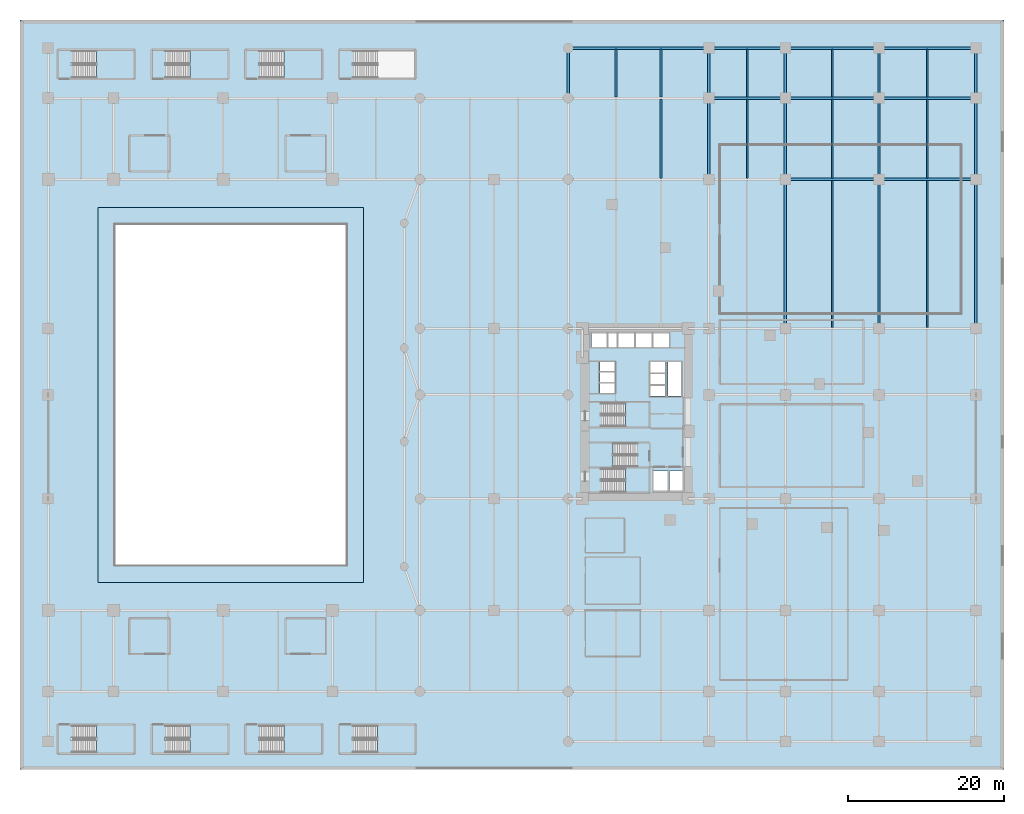
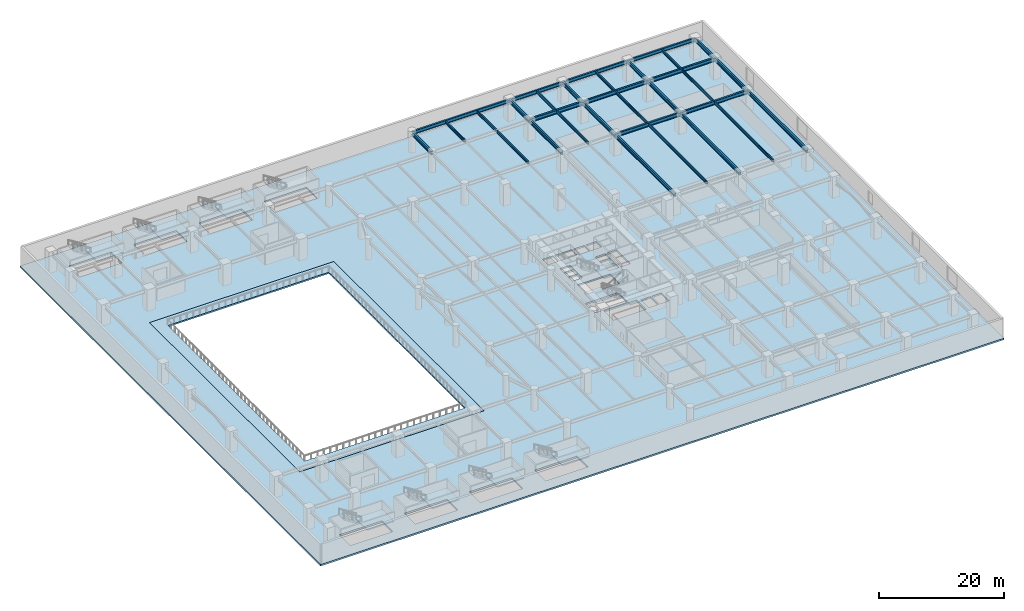
# One storey, part 4 of 22: 32 beams, 12 slabs, 10 elements without a shape of their own.
"""IFC4 building model written with IfcOpenShell, lengths in metres."""

from ifc_helpers import new_model, si_unit, direction, frame, origin, origin_2d, place, context, subcontext, project, spatial, polyline, i_section, outline, extrude, material, layer, layer_set, material_profile, profile_set, type_object, element, aggregate, save


model = new_model("IFC4")

# Units and contexts
model_context = context("Model", 3, precision=1e-05, world=origin(), true_north=direction((0.0, 1.0)))
body_context = subcontext(model_context, "Body", "Model", "MODEL_VIEW")
ifc_project = project(units=[si_unit("LENGTHUNIT", "METRE"), si_unit("AREAUNIT", "SQUARE_METRE"), si_unit("VOLUMEUNIT", "CUBIC_METRE"), si_unit("PLANEANGLEUNIT", "RADIAN"), si_unit("MASSUNIT", "GRAM", prefix="KILO")], contexts=[model_context])

# Site, building, storey
site_placement = place(None, origin())
site = spatial("IfcSite", under=ifc_project, at=site_placement, CompositionType="ELEMENT")
building_placement = place(site_placement, origin())
building = spatial("IfcBuilding", under=site, at=building_placement, Name="Narakoshi Arena Tower", CompositionType="ELEMENT")
storey_placement = place(building_placement, frame((0.0, 0.0, 13.199951171875)))
storey = spatial("IfcBuildingStorey", under=building, at=storey_placement, Name="L03", CompositionType="ELEMENT", Elevation=13.199951171875)

# Beams
ifc_material_1 = material(Name="Structural steel S355J2", Category="steel")
ifc_material_profile_1 = material_profile(ifc_material_1, i_section(OverallWidth=0.300048828125, OverallDepth=0.699951171875, WebThickness=0.01708984375, FlangeThickness=0.031982421875, FilletRadius=0.027099609375, at=origin_2d()), Name="HE700B")
ifc_profile_set_1 = profile_set([ifc_material_profile_1], Name="Structural steel S355J2")
beam_type_1 = type_object("IfcBeamType", Name="BM-PRI-700", PredefinedType="BEAM", material=ifc_profile_set_1)
beam_1_placement = place(storey_placement, frame((98.0, 75.60009765625, 3.530029296875), z_axis=(1.0, 0.0, 0.0), x_axis=(0.0, 1.0, 0.0)))
element("IfcBeam", 1, at=beam_1_placement, inside=storey, type_object=beam_type_1, Name="L03 Podium Primary X-Girder 051", PredefinedType="BEAM", context=body_context, shape_type="SweptSolid", body=[
    extrude(i_section(OverallWidth=0.300048828125, OverallDepth=0.699951171875, WebThickness=0.01708984375, FlangeThickness=0.031982421875, FilletRadius=0.027099609375, at=origin_2d()), origin(), (0.0, 0.0, 1.0), 12.0),
])
beam_2_placement = place(storey_placement, frame((110.0, 75.60009765625, 3.530029296875), z_axis=(1.0, 0.0, 0.0), x_axis=(0.0, 1.0, 0.0)))
element("IfcBeam", 2, at=beam_2_placement, inside=storey, type_object=beam_type_1, Name="L03 Podium Primary X-Girder 052", PredefinedType="BEAM", context=body_context, shape_type="SweptSolid", body=[
    extrude(i_section(OverallWidth=0.300048828125, OverallDepth=0.699951171875, WebThickness=0.01708984375, FlangeThickness=0.031982421875, FilletRadius=0.027099609375, at=origin_2d()), origin(), (0.0, 0.0, 1.0), 12.39990234375),
])
beam_3_placement = place(storey_placement, frame((88.199951171875, 86.0, 3.530029296875), z_axis=(1.0, 0.0, 0.0), x_axis=(0.0, 1.0, 0.0)))
element("IfcBeam", 3, at=beam_3_placement, inside=storey, type_object=beam_type_1, Name="L03 Podium Primary X-Girder 059", PredefinedType="BEAM", context=body_context, shape_type="SweptSolid", body=[
    extrude(i_section(OverallWidth=0.300048828125, OverallDepth=0.699951171875, WebThickness=0.01708984375, FlangeThickness=0.031982421875, FilletRadius=0.027099609375, at=origin_2d()), origin(), (0.0, 0.0, 1.0), 9.800048828125),
])
beam_4_placement = place(storey_placement, frame((98.0, 86.0, 3.530029296875), z_axis=(1.0, 0.0, 0.0), x_axis=(0.0, 1.0, 0.0)))
element("IfcBeam", 4, at=beam_4_placement, inside=storey, type_object=beam_type_1, Name="L03 Podium Primary X-Girder 060", PredefinedType="BEAM", context=body_context, shape_type="SweptSolid", body=[
    extrude(i_section(OverallWidth=0.300048828125, OverallDepth=0.699951171875, WebThickness=0.01708984375, FlangeThickness=0.031982421875, FilletRadius=0.027099609375, at=origin_2d()), origin(), (0.0, 0.0, 1.0), 12.0),
])
beam_5_placement = place(storey_placement, frame((110.0, 86.0, 3.530029296875), z_axis=(1.0, 0.0, 0.0), x_axis=(0.0, 1.0, 0.0)))
element("IfcBeam", 5, at=beam_5_placement, inside=storey, type_object=beam_type_1, Name="L03 Podium Primary X-Girder 061", PredefinedType="BEAM", context=body_context, shape_type="SweptSolid", body=[
    extrude(i_section(OverallWidth=0.300048828125, OverallDepth=0.699951171875, WebThickness=0.01708984375, FlangeThickness=0.031982421875, FilletRadius=0.027099609375, at=origin_2d()), origin(), (0.0, 0.0, 1.0), 12.39990234375),
])
beam_6_placement = place(storey_placement, frame((70.199951171875, 92.39990234375, 3.530029296875), z_axis=(1.0, 0.0, 0.0), x_axis=(0.0, 1.0, 0.0)))
element("IfcBeam", 6, at=beam_6_placement, inside=storey, type_object=beam_type_1, Name="L03 Podium Primary X-Girder 062", PredefinedType="BEAM", context=body_context, shape_type="SweptSolid", body=[
    extrude(i_section(OverallWidth=0.300048828125, OverallDepth=0.699951171875, WebThickness=0.01708984375, FlangeThickness=0.031982421875, FilletRadius=0.027099609375, at=origin_2d()), origin(), (0.0, 0.0, 1.0), 18.0),
])
beam_7_placement = place(storey_placement, frame((88.199951171875, 92.39990234375, 3.530029296875), z_axis=(1.0, 0.0, 0.0), x_axis=(0.0, 1.0, 0.0)))
element("IfcBeam", 7, at=beam_7_placement, inside=storey, type_object=beam_type_1, Name="L03 Podium Primary X-Girder 063", PredefinedType="BEAM", context=body_context, shape_type="SweptSolid", body=[
    extrude(i_section(OverallWidth=0.300048828125, OverallDepth=0.699951171875, WebThickness=0.01708984375, FlangeThickness=0.031982421875, FilletRadius=0.027099609375, at=origin_2d()), origin(), (0.0, 0.0, 1.0), 9.800048828125),
])
beam_8_placement = place(storey_placement, frame((98.0, 92.39990234375, 3.530029296875), z_axis=(1.0, 0.0, 0.0), x_axis=(0.0, 1.0, 0.0)))
element("IfcBeam", 8, at=beam_8_placement, inside=storey, type_object=beam_type_1, Name="L03 Podium Primary X-Girder 064", PredefinedType="BEAM", context=body_context, shape_type="SweptSolid", body=[
    extrude(i_section(OverallWidth=0.300048828125, OverallDepth=0.699951171875, WebThickness=0.01708984375, FlangeThickness=0.031982421875, FilletRadius=0.027099609375, at=origin_2d()), origin(), (0.0, 0.0, 1.0), 12.0),
])
beam_9_placement = place(storey_placement, frame((110.0, 92.39990234375, 3.530029296875), z_axis=(1.0, 0.0, 0.0), x_axis=(0.0, 1.0, 0.0)))
element("IfcBeam", 9, at=beam_9_placement, inside=storey, type_object=beam_type_1, Name="L03 Podium Primary X-Girder 065", PredefinedType="BEAM", context=body_context, shape_type="SweptSolid", body=[
    extrude(i_section(OverallWidth=0.300048828125, OverallDepth=0.699951171875, WebThickness=0.01708984375, FlangeThickness=0.031982421875, FilletRadius=0.027099609375, at=origin_2d()), origin(), (0.0, 0.0, 1.0), 12.39990234375),
])
beam_10_placement = place(storey_placement, frame((70.199951171875, 86.0, 3.530029296875), z_axis=(0.0, 1.0, 0.0), x_axis=(-1.0, 0.0, 0.0)))
element("IfcBeam", 10, at=beam_10_placement, inside=storey, type_object=beam_type_1, Name="L03 Podium Primary Y-Girder 096", PredefinedType="BEAM", context=body_context, shape_type="SweptSolid", body=[
    extrude(i_section(OverallWidth=0.300048828125, OverallDepth=0.699951171875, WebThickness=0.01708984375, FlangeThickness=0.031982421875, FilletRadius=0.027099609375, at=origin_2d()), origin(), (0.0, 0.0, 1.0), 6.39990234375),
])
beam_11_placement = place(storey_placement, frame((88.199951171875, 75.60009765625, 3.530029296875), z_axis=(0.0, 1.0, 0.0), x_axis=(-1.0, 0.0, 0.0)))
element("IfcBeam", 11, at=beam_11_placement, inside=storey, type_object=beam_type_1, Name="L03 Podium Primary Y-Girder 104", PredefinedType="BEAM", context=body_context, shape_type="SweptSolid", body=[
    extrude(i_section(OverallWidth=0.300048828125, OverallDepth=0.699951171875, WebThickness=0.01708984375, FlangeThickness=0.031982421875, FilletRadius=0.027099609375, at=origin_2d()), origin(), (0.0, 0.0, 1.0), 10.39990234375),
])
beam_12_placement = place(storey_placement, frame((88.199951171875, 86.0, 3.530029296875), z_axis=(0.0, 1.0, 0.0), x_axis=(-1.0, 0.0, 0.0)))
element("IfcBeam", 12, at=beam_12_placement, inside=storey, type_object=beam_type_1, Name="L03 Podium Primary Y-Girder 105", PredefinedType="BEAM", context=body_context, shape_type="SweptSolid", body=[
    extrude(i_section(OverallWidth=0.300048828125, OverallDepth=0.699951171875, WebThickness=0.01708984375, FlangeThickness=0.031982421875, FilletRadius=0.027099609375, at=origin_2d()), origin(), (0.0, 0.0, 1.0), 6.39990234375),
])
beam_13_placement = place(storey_placement, frame((98.0, 56.5, 3.530029296875), z_axis=(0.0, 1.0, 0.0), x_axis=(-1.0, 0.0, 0.0)))
element("IfcBeam", 13, at=beam_13_placement, inside=storey, type_object=beam_type_1, Name="L03 Podium Primary Y-Girder 111", PredefinedType="BEAM", context=body_context, shape_type="SweptSolid", body=[
    extrude(i_section(OverallWidth=0.300048828125, OverallDepth=0.699951171875, WebThickness=0.01708984375, FlangeThickness=0.031982421875, FilletRadius=0.027099609375, at=origin_2d()), origin(), (0.0, 0.0, 1.0), 19.10009765625),
])
beam_14_placement = place(storey_placement, frame((98.0, 75.60009765625, 3.530029296875), z_axis=(0.0, 1.0, 0.0), x_axis=(-1.0, 0.0, 0.0)))
element("IfcBeam", 14, at=beam_14_placement, inside=storey, type_object=beam_type_1, Name="L03 Podium Primary Y-Girder 112", PredefinedType="BEAM", context=body_context, shape_type="SweptSolid", body=[
    extrude(i_section(OverallWidth=0.300048828125, OverallDepth=0.699951171875, WebThickness=0.01708984375, FlangeThickness=0.031982421875, FilletRadius=0.027099609375, at=origin_2d()), origin(), (0.0, 0.0, 1.0), 10.39990234375),
])
beam_15_placement = place(storey_placement, frame((98.0, 86.0, 3.530029296875), z_axis=(0.0, 1.0, 0.0), x_axis=(-1.0, 0.0, 0.0)))
element("IfcBeam", 15, at=beam_15_placement, inside=storey, type_object=beam_type_1, Name="L03 Podium Primary Y-Girder 113", PredefinedType="BEAM", context=body_context, shape_type="SweptSolid", body=[
    extrude(i_section(OverallWidth=0.300048828125, OverallDepth=0.699951171875, WebThickness=0.01708984375, FlangeThickness=0.031982421875, FilletRadius=0.027099609375, at=origin_2d()), origin(), (0.0, 0.0, 1.0), 6.39990234375),
])
beam_16_placement = place(storey_placement, frame((110.0, 56.5, 3.530029296875), z_axis=(0.0, 1.0, 0.0), x_axis=(-1.0, 0.0, 0.0)))
element("IfcBeam", 16, at=beam_16_placement, inside=storey, type_object=beam_type_1, Name="L03 Podium Primary Y-Girder 119", PredefinedType="BEAM", context=body_context, shape_type="SweptSolid", body=[
    extrude(i_section(OverallWidth=0.300048828125, OverallDepth=0.699951171875, WebThickness=0.01708984375, FlangeThickness=0.031982421875, FilletRadius=0.027099609375, at=origin_2d()), origin(), (0.0, 0.0, 1.0), 19.10009765625),
])
beam_17_placement = place(storey_placement, frame((110.0, 75.60009765625, 3.530029296875), z_axis=(0.0, 1.0, 0.0), x_axis=(-1.0, 0.0, 0.0)))
element("IfcBeam", 17, at=beam_17_placement, inside=storey, type_object=beam_type_1, Name="L03 Podium Primary Y-Girder 120", PredefinedType="BEAM", context=body_context, shape_type="SweptSolid", body=[
    extrude(i_section(OverallWidth=0.300048828125, OverallDepth=0.699951171875, WebThickness=0.01708984375, FlangeThickness=0.031982421875, FilletRadius=0.027099609375, at=origin_2d()), origin(), (0.0, 0.0, 1.0), 10.39990234375),
])
beam_18_placement = place(storey_placement, frame((110.0, 86.0, 3.530029296875), z_axis=(0.0, 1.0, 0.0), x_axis=(-1.0, 0.0, 0.0)))
element("IfcBeam", 18, at=beam_18_placement, inside=storey, type_object=beam_type_1, Name="L03 Podium Primary Y-Girder 121", PredefinedType="BEAM", context=body_context, shape_type="SweptSolid", body=[
    extrude(i_section(OverallWidth=0.300048828125, OverallDepth=0.699951171875, WebThickness=0.01708984375, FlangeThickness=0.031982421875, FilletRadius=0.027099609375, at=origin_2d()), origin(), (0.0, 0.0, 1.0), 6.39990234375),
])
beam_19_placement = place(storey_placement, frame((122.39990234375, 56.5, 3.530029296875), z_axis=(0.0, 1.0, 0.0), x_axis=(-1.0, 0.0, 0.0)))
element("IfcBeam", 19, at=beam_19_placement, inside=storey, type_object=beam_type_1, Name="L03 Podium Primary Y-Girder 127", PredefinedType="BEAM", context=body_context, shape_type="SweptSolid", body=[
    extrude(i_section(OverallWidth=0.300048828125, OverallDepth=0.699951171875, WebThickness=0.01708984375, FlangeThickness=0.031982421875, FilletRadius=0.027099609375, at=origin_2d()), origin(), (0.0, 0.0, 1.0), 19.10009765625),
])
beam_20_placement = place(storey_placement, frame((122.39990234375, 75.60009765625, 3.530029296875), z_axis=(0.0, 1.0, 0.0), x_axis=(-1.0, 0.0, 0.0)))
element("IfcBeam", 20, at=beam_20_placement, inside=storey, type_object=beam_type_1, Name="L03 Podium Primary Y-Girder 128", PredefinedType="BEAM", context=body_context, shape_type="SweptSolid", body=[
    extrude(i_section(OverallWidth=0.300048828125, OverallDepth=0.699951171875, WebThickness=0.01708984375, FlangeThickness=0.031982421875, FilletRadius=0.027099609375, at=origin_2d()), origin(), (0.0, 0.0, 1.0), 10.39990234375),
])
beam_21_placement = place(storey_placement, frame((122.39990234375, 86.0, 3.530029296875), z_axis=(0.0, 1.0, 0.0), x_axis=(-1.0, 0.0, 0.0)))
element("IfcBeam", 21, at=beam_21_placement, inside=storey, type_object=beam_type_1, Name="L03 Podium Primary Y-Girder 129", PredefinedType="BEAM", context=body_context, shape_type="SweptSolid", body=[
    extrude(i_section(OverallWidth=0.300048828125, OverallDepth=0.699951171875, WebThickness=0.01708984375, FlangeThickness=0.031982421875, FilletRadius=0.027099609375, at=origin_2d()), origin(), (0.0, 0.0, 1.0), 6.39990234375),
])
ifc_material_profile_2 = material_profile(ifc_material_1, i_section(OverallWidth=0.199951171875, OverallDepth=0.5, WebThickness=0.01025390625, FlangeThickness=0.01611328125, FilletRadius=0.02099609375, at=origin_2d()), Name="IPE500")
ifc_profile_set_2 = profile_set([ifc_material_profile_2], Name="Structural steel S355J2")
beam_type_2 = type_object("IfcBeamType", Name="BM-SEC-500", PredefinedType="JOIST", material=ifc_profile_set_2)
beam_22_placement = place(storey_placement, frame((76.320068359375, 86.135009765625, 3.630126953125), z_axis=(0.0, 1.0, 0.0), x_axis=(-1.0, 0.0, 0.0)))
element("IfcBeam", 22, at=beam_22_placement, inside=storey, type_object=beam_type_2, Name="L03 Podium Composite Floor Joist 025", PredefinedType="JOIST", context=body_context, shape_type="SweptSolid", body=[
    extrude(i_section(OverallWidth=0.199951171875, OverallDepth=0.5, WebThickness=0.01025390625, FlangeThickness=0.01611328125, FilletRadius=0.02099609375, at=origin_2d()), origin(), (0.0, 0.0, 1.0), 6.1298828125),
])
beam_23_placement = place(storey_placement, frame((82.080078125, 75.735107421875, 3.630126953125), z_axis=(0.0, 1.0, 0.0), x_axis=(-1.0, 0.0, 0.0)))
element("IfcBeam", 23, at=beam_23_placement, inside=storey, type_object=beam_type_2, Name="L03 Podium Composite Floor Joist 029", PredefinedType="JOIST", context=body_context, shape_type="SweptSolid", body=[
    extrude(i_section(OverallWidth=0.199951171875, OverallDepth=0.5, WebThickness=0.01025390625, FlangeThickness=0.01611328125, FilletRadius=0.02099609375, at=origin_2d()), origin(), (0.0, 0.0, 1.0), 10.1298828125),
])
beam_24_placement = place(storey_placement, frame((82.080078125, 86.135009765625, 3.630126953125), z_axis=(0.0, 1.0, 0.0), x_axis=(-1.0, 0.0, 0.0)))
element("IfcBeam", 24, at=beam_24_placement, inside=storey, type_object=beam_type_2, Name="L03 Podium Composite Floor Joist 030", PredefinedType="JOIST", context=body_context, shape_type="SweptSolid", body=[
    extrude(i_section(OverallWidth=0.199951171875, OverallDepth=0.5, WebThickness=0.01025390625, FlangeThickness=0.01611328125, FilletRadius=0.02099609375, at=origin_2d()), origin(), (0.0, 0.0, 1.0), 6.1298828125),
])
beam_25_placement = place(storey_placement, frame((93.10009765625, 75.735107421875, 3.630126953125), z_axis=(0.0, 1.0, 0.0), x_axis=(-1.0, 0.0, 0.0)))
element("IfcBeam", 25, at=beam_25_placement, inside=storey, type_object=beam_type_2, Name="L03 Podium Composite Floor Joist 037", PredefinedType="JOIST", context=body_context, shape_type="SweptSolid", body=[
    extrude(i_section(OverallWidth=0.199951171875, OverallDepth=0.5, WebThickness=0.01025390625, FlangeThickness=0.01611328125, FilletRadius=0.02099609375, at=origin_2d()), origin(), (0.0, 0.0, 1.0), 10.1298828125),
])
beam_26_placement = place(storey_placement, frame((93.10009765625, 86.135009765625, 3.630126953125), z_axis=(0.0, 1.0, 0.0), x_axis=(-1.0, 0.0, 0.0)))
element("IfcBeam", 26, at=beam_26_placement, inside=storey, type_object=beam_type_2, Name="L03 Podium Composite Floor Joist 038", PredefinedType="JOIST", context=body_context, shape_type="SweptSolid", body=[
    extrude(i_section(OverallWidth=0.199951171875, OverallDepth=0.5, WebThickness=0.01025390625, FlangeThickness=0.01611328125, FilletRadius=0.02099609375, at=origin_2d()), origin(), (0.0, 0.0, 1.0), 6.1298828125),
])
beam_27_placement = place(storey_placement, frame((104.0, 56.635009765625, 3.630126953125), z_axis=(0.0, 1.0, 0.0), x_axis=(-1.0, 0.0, 0.0)))
element("IfcBeam", 27, at=beam_27_placement, inside=storey, type_object=beam_type_2, Name="L03 Podium Composite Floor Joist 044", PredefinedType="JOIST", context=body_context, shape_type="SweptSolid", body=[
    extrude(i_section(OverallWidth=0.199951171875, OverallDepth=0.5, WebThickness=0.01025390625, FlangeThickness=0.01611328125, FilletRadius=0.02099609375, at=origin_2d()), origin(), (0.0, 0.0, 1.0), 18.830078125),
])
beam_28_placement = place(storey_placement, frame((104.0, 75.735107421875, 3.630126953125), z_axis=(0.0, 1.0, 0.0), x_axis=(-1.0, 0.0, 0.0)))
element("IfcBeam", 28, at=beam_28_placement, inside=storey, type_object=beam_type_2, Name="L03 Podium Composite Floor Joist 045", PredefinedType="JOIST", context=body_context, shape_type="SweptSolid", body=[
    extrude(i_section(OverallWidth=0.199951171875, OverallDepth=0.5, WebThickness=0.01025390625, FlangeThickness=0.01611328125, FilletRadius=0.02099609375, at=origin_2d()), origin(), (0.0, 0.0, 1.0), 10.1298828125),
])
beam_29_placement = place(storey_placement, frame((104.0, 86.135009765625, 3.630126953125), z_axis=(0.0, 1.0, 0.0), x_axis=(-1.0, 0.0, 0.0)))
element("IfcBeam", 29, at=beam_29_placement, inside=storey, type_object=beam_type_2, Name="L03 Podium Composite Floor Joist 046", PredefinedType="JOIST", context=body_context, shape_type="SweptSolid", body=[
    extrude(i_section(OverallWidth=0.199951171875, OverallDepth=0.5, WebThickness=0.01025390625, FlangeThickness=0.01611328125, FilletRadius=0.02099609375, at=origin_2d()), origin(), (0.0, 0.0, 1.0), 6.1298828125),
])
beam_30_placement = place(storey_placement, frame((116.199951171875, 56.635009765625, 3.630126953125), z_axis=(0.0, 1.0, 0.0), x_axis=(-1.0, 0.0, 0.0)))
element("IfcBeam", 30, at=beam_30_placement, inside=storey, type_object=beam_type_2, Name="L03 Podium Composite Floor Joist 052", PredefinedType="JOIST", context=body_context, shape_type="SweptSolid", body=[
    extrude(i_section(OverallWidth=0.199951171875, OverallDepth=0.5, WebThickness=0.01025390625, FlangeThickness=0.01611328125, FilletRadius=0.02099609375, at=origin_2d()), origin(), (0.0, 0.0, 1.0), 18.830078125),
])
beam_31_placement = place(storey_placement, frame((116.199951171875, 75.735107421875, 3.630126953125), z_axis=(0.0, 1.0, 0.0), x_axis=(-1.0, 0.0, 0.0)))
element("IfcBeam", 31, at=beam_31_placement, inside=storey, type_object=beam_type_2, Name="L03 Podium Composite Floor Joist 053", PredefinedType="JOIST", context=body_context, shape_type="SweptSolid", body=[
    extrude(i_section(OverallWidth=0.199951171875, OverallDepth=0.5, WebThickness=0.01025390625, FlangeThickness=0.01611328125, FilletRadius=0.02099609375, at=origin_2d()), origin(), (0.0, 0.0, 1.0), 10.1298828125),
])
beam_32_placement = place(storey_placement, frame((116.199951171875, 86.135009765625, 3.630126953125), z_axis=(0.0, 1.0, 0.0), x_axis=(-1.0, 0.0, 0.0)))
element("IfcBeam", 32, at=beam_32_placement, inside=storey, type_object=beam_type_2, Name="L03 Podium Composite Floor Joist 054", PredefinedType="JOIST", context=body_context, shape_type="SweptSolid", body=[
    extrude(i_section(OverallWidth=0.199951171875, OverallDepth=0.5, WebThickness=0.01025390625, FlangeThickness=0.01611328125, FilletRadius=0.02099609375, at=origin_2d()), origin(), (0.0, 0.0, 1.0), 6.1298828125),
])

# Slab
ifc_material_2 = material(Name="Precast concrete C45/55", Category="concrete")
ifc_layer_1 = layer(ifc_material_2, 0.280029296875)
ifc_layer_set_1 = layer_set([ifc_layer_1], Name="Precast concrete C45/55")
slab_type_1 = type_object("IfcSlabType", Name="SLB-BOWL-280", PredefinedType="FLOOR", material=ifc_layer_set_1)
slab_1_placement = place(storey_placement, frame((0.0, 0.0, -0.280029296875)))
element("IfcSlab", 33, at=slab_1_placement, inside=storey, type_object=slab_type_1, Name="L03 Precast Arena Bowl Seating Tier Slab", PredefinedType="FLOOR", context=body_context, shape_type="SweptSolid", body=[
    extrude(outline(polyline([(44.0, 24.0), (44.0, 72.0), (10.0, 72.0), (10.0, 24.0), (44.0, 24.0)]), holes=[polyline([(41.800048828125, 26.199951171875), (41.800048828125, 69.800048828125), (12.199951171875, 69.800048828125), (12.199951171875, 26.199951171875), (41.800048828125, 26.199951171875)])]), origin(), (0.0, 0.0, 1.0), 0.280029296875),
])

# Stair, slab
ifc_material_3 = material(Name="Concrete C45/55", Category="concrete")
stair_type_1 = type_object("IfcStairType", Name="STR-PLANT-420", PredefinedType="TWO_STRAIGHT_RUN_STAIR", material=ifc_material_3)
stair_1_placement = place(storey_placement, origin())
stair_1 = element("IfcStair", 34, at=stair_1_placement, inside=storey, type_object=stair_type_1, Name="L03 Core Escape Stair ST1", PredefinedType="TWO_STRAIGHT_RUN_STAIR")
ifc_layer_2 = layer(ifc_material_3, 0.18994140625)
ifc_layer_set_2 = layer_set([ifc_layer_2], Name="Concrete C45/55")
slab_type_2 = type_object("IfcSlabType", Name="SLB-LND-190", PredefinedType="LANDING", material=ifc_layer_set_2)
slab_2_placement = place(storey_placement, frame((0.0, 0.0, 1.91015625)))
slab_2 = element("IfcSlab", 35, at=slab_2_placement, type_object=slab_type_2, Name="ST1 landing 1", PredefinedType="LANDING", context=body_context, shape_type="SweptSolid", body=[
    extrude(outline(polyline([(77.534912109375, 35.3701171875), (80.679931640625, 35.3701171875), (80.679931640625, 38.72998046875), (77.534912109375, 38.72998046875), (77.534912109375, 35.3701171875)])), origin(), (0.0, 0.0, 1.0), 0.18994140625),
])
aggregate(stair_1, [slab_2])

stair_2_placement = place(storey_placement, origin())
stair_2 = element("IfcStair", 36, at=stair_2_placement, inside=storey, type_object=stair_type_1, Name="L03 Core Escape Stair ST2", PredefinedType="TWO_STRAIGHT_RUN_STAIR")
slab_3_placement = place(storey_placement, frame((0.0, 0.0, 1.91015625)))
slab_3 = element("IfcSlab", 37, at=slab_3_placement, type_object=slab_type_2, Name="ST2 landing 1", PredefinedType="LANDING", context=body_context, shape_type="SweptSolid", body=[
    extrude(outline(polyline([(72.77001953125, 38.6201171875), (75.9150390625, 38.6201171875), (75.9150390625, 41.97998046875), (72.77001953125, 41.97998046875), (72.77001953125, 38.6201171875)])), origin(), (0.0, 0.0, 1.0), 0.18994140625),
])
aggregate(stair_2, [slab_3])

stair_3_placement = place(storey_placement, origin())
stair_3 = element("IfcStair", 38, at=stair_3_placement, inside=storey, type_object=stair_type_1, Name="L03 Core Escape Stair ST3", PredefinedType="TWO_STRAIGHT_RUN_STAIR")
slab_4_placement = place(storey_placement, frame((0.0, 0.0, 1.91015625)))
slab_4 = element("IfcSlab", 39, at=slab_4_placement, type_object=slab_type_2, Name="ST3 landing 1", PredefinedType="LANDING", context=body_context, shape_type="SweptSolid", body=[
    extrude(outline(polyline([(77.534912109375, 43.77001953125), (80.679931640625, 43.77001953125), (80.679931640625, 47.1298828125), (77.534912109375, 47.1298828125), (77.534912109375, 43.77001953125)])), origin(), (0.0, 0.0, 1.0), 0.18994140625),
])
aggregate(stair_3, [slab_4])

stair_type_2 = type_object("IfcStairType", Name="STR-ARN-2400", PredefinedType="TWO_STRAIGHT_RUN_STAIR", material=ifc_material_3)
stair_4_placement = place(storey_placement, origin())
stair_4 = element("IfcStair", 40, at=stair_4_placement, inside=storey, type_object=stair_type_2, Name="L03 Arena Crowd Escape Stair AST1", PredefinedType="TWO_STRAIGHT_RUN_STAIR")
slab_5_placement = place(storey_placement, frame((0.0, 0.0, 1.91015625)))
slab_5 = element("IfcSlab", 41, at=slab_5_placement, type_object=slab_type_2, Name="AST1 landing 1", PredefinedType="LANDING", context=body_context, shape_type="SweptSolid", body=[
    extrude(outline(polyline([(9.784912109375, 2.02001953125), (14.72998046875, 2.02001953125), (14.72998046875, 5.830078125), (9.784912109375, 5.830078125), (9.784912109375, 2.02001953125)])), origin(), (0.0, 0.0, 1.0), 0.18994140625),
])
aggregate(stair_4, [slab_5])

stair_5_placement = place(storey_placement, origin())
stair_5 = element("IfcStair", 42, at=stair_5_placement, inside=storey, type_object=stair_type_2, Name="L03 Arena Crowd Escape Stair AST2", PredefinedType="TWO_STRAIGHT_RUN_STAIR")
slab_6_placement = place(storey_placement, frame((0.0, 0.0, 1.91015625)))
slab_6 = element("IfcSlab", 43, at=slab_6_placement, type_object=slab_type_2, Name="AST2 landing 1", PredefinedType="LANDING", context=body_context, shape_type="SweptSolid", body=[
    extrude(outline(polyline([(21.784912109375, 2.02001953125), (26.72998046875, 2.02001953125), (26.72998046875, 5.830078125), (21.784912109375, 5.830078125), (21.784912109375, 2.02001953125)])), origin(), (0.0, 0.0, 1.0), 0.18994140625),
])
aggregate(stair_5, [slab_6])

stair_6_placement = place(storey_placement, origin())
stair_6 = element("IfcStair", 44, at=stair_6_placement, inside=storey, type_object=stair_type_2, Name="L03 Arena Crowd Escape Stair AST3", PredefinedType="TWO_STRAIGHT_RUN_STAIR")
slab_7_placement = place(storey_placement, frame((0.0, 0.0, 1.91015625)))
slab_7 = element("IfcSlab", 45, at=slab_7_placement, type_object=slab_type_2, Name="AST3 landing 1", PredefinedType="LANDING", context=body_context, shape_type="SweptSolid", body=[
    extrude(outline(polyline([(33.784912109375, 2.02001953125), (38.72998046875, 2.02001953125), (38.72998046875, 5.830078125), (33.784912109375, 5.830078125), (33.784912109375, 2.02001953125)])), origin(), (0.0, 0.0, 1.0), 0.18994140625),
])
aggregate(stair_6, [slab_7])

stair_7_placement = place(storey_placement, origin())
stair_7 = element("IfcStair", 46, at=stair_7_placement, inside=storey, type_object=stair_type_2, Name="L03 Arena Crowd Escape Stair AST4", PredefinedType="TWO_STRAIGHT_RUN_STAIR")
slab_8_placement = place(storey_placement, frame((0.0, 0.0, 1.91015625)))
slab_8 = element("IfcSlab", 47, at=slab_8_placement, type_object=slab_type_2, Name="AST4 landing 1", PredefinedType="LANDING", context=body_context, shape_type="SweptSolid", body=[
    extrude(outline(polyline([(45.784912109375, 2.02001953125), (50.72998046875, 2.02001953125), (50.72998046875, 5.830078125), (45.784912109375, 5.830078125), (45.784912109375, 2.02001953125)])), origin(), (0.0, 0.0, 1.0), 0.18994140625),
])
aggregate(stair_7, [slab_8])

stair_8_placement = place(storey_placement, origin())
stair_8 = element("IfcStair", 48, at=stair_8_placement, inside=storey, type_object=stair_type_2, Name="L03 Arena Crowd Escape Stair AST5", PredefinedType="TWO_STRAIGHT_RUN_STAIR")
slab_9_placement = place(storey_placement, frame((0.0, 0.0, 1.91015625)))
slab_9 = element("IfcSlab", 49, at=slab_9_placement, type_object=slab_type_2, Name="AST5 landing 1", PredefinedType="LANDING", context=body_context, shape_type="SweptSolid", body=[
    extrude(outline(polyline([(9.784912109375, 88.419921875), (14.72998046875, 88.419921875), (14.72998046875, 92.22998046875), (9.784912109375, 92.22998046875), (9.784912109375, 88.419921875)])), origin(), (0.0, 0.0, 1.0), 0.18994140625),
])
aggregate(stair_8, [slab_9])

stair_9_placement = place(storey_placement, origin())
stair_9 = element("IfcStair", 50, at=stair_9_placement, inside=storey, type_object=stair_type_2, Name="L03 Arena Crowd Escape Stair AST6", PredefinedType="TWO_STRAIGHT_RUN_STAIR")
slab_10_placement = place(storey_placement, frame((0.0, 0.0, 1.91015625)))
slab_10 = element("IfcSlab", 51, at=slab_10_placement, type_object=slab_type_2, Name="AST6 landing 1", PredefinedType="LANDING", context=body_context, shape_type="SweptSolid", body=[
    extrude(outline(polyline([(21.784912109375, 88.419921875), (26.72998046875, 88.419921875), (26.72998046875, 92.22998046875), (21.784912109375, 92.22998046875), (21.784912109375, 88.419921875)])), origin(), (0.0, 0.0, 1.0), 0.18994140625),
])
aggregate(stair_9, [slab_10])

stair_10_placement = place(storey_placement, origin())
stair_10 = element("IfcStair", 52, at=stair_10_placement, inside=storey, type_object=stair_type_2, Name="L03 Arena Crowd Escape Stair AST7", PredefinedType="TWO_STRAIGHT_RUN_STAIR")
slab_11_placement = place(storey_placement, frame((0.0, 0.0, 1.91015625)))
slab_11 = element("IfcSlab", 53, at=slab_11_placement, type_object=slab_type_2, Name="AST7 landing 1", PredefinedType="LANDING", context=body_context, shape_type="SweptSolid", body=[
    extrude(outline(polyline([(33.784912109375, 88.419921875), (38.72998046875, 88.419921875), (38.72998046875, 92.22998046875), (33.784912109375, 92.22998046875), (33.784912109375, 88.419921875)])), origin(), (0.0, 0.0, 1.0), 0.18994140625),
])
aggregate(stair_10, [slab_11])

# Slab
ifc_layer_3 = layer(ifc_material_3, 0.320068359375)
ifc_layer_set_3 = layer_set([ifc_layer_3], Name="Concrete C45/55")
slab_type_3 = type_object("IfcSlabType", Name="SLB-POD-320", PredefinedType="FLOOR", material=ifc_layer_set_3)
slab_12_placement = place(storey_placement, frame((0.0, 0.0, -0.320068359375)))
element("IfcSlab", 54, at=slab_12_placement, inside=storey, type_object=slab_type_3, Name="L03 Structural Floor Slab", PredefinedType="FLOOR", context=body_context, shape_type="SweptSolid", body=[
    extrude(outline(polyline([(0.0, 0.0), (126.0, 0.0), (126.0, 96.0), (0.0, 96.0), (0.0, 0.0)]), holes=[polyline([(6.72998046875, 2.199951171875), (6.72998046875, 5.64990234375), (14.550048828125, 5.64990234375), (14.550048828125, 2.199951171875), (6.72998046875, 2.199951171875)]), polyline([(18.72998046875, 5.64990234375), (26.550048828125, 5.64990234375), (26.550048828125, 2.199951171875), (18.72998046875, 2.199951171875), (18.72998046875, 5.64990234375)]), polyline([(30.72998046875, 5.64990234375), (38.550048828125, 5.64990234375), (38.550048828125, 2.199951171875), (30.72998046875, 2.199951171875), (30.72998046875, 5.64990234375)]), polyline([(42.72998046875, 2.199951171875), (42.72998046875, 5.64990234375), (50.550048828125, 5.64990234375), (50.550048828125, 2.199951171875), (42.72998046875, 2.199951171875)]), polyline([(10.0, 72.0), (44.0, 72.0), (44.0, 24.0), (10.0, 24.0), (10.0, 72.0)]), polyline([(74.47998046875, 38.550048828125), (80.5, 38.550048828125), (80.5, 35.550048828125), (74.47998046875, 35.550048828125), (74.47998046875, 38.550048828125)]), polyline([(81.14990234375, 35.75), (81.14990234375, 38.25), (82.89990234375, 38.25), (82.89990234375, 35.75), (81.14990234375, 35.75)]), polyline([(83.14990234375, 38.25), (84.89990234375, 38.25), (84.89990234375, 35.75), (83.14990234375, 35.75), (83.14990234375, 38.25)]), polyline([(72.949951171875, 38.800048828125), (72.949951171875, 41.800048828125), (78.969970703125, 41.800048828125), (78.969970703125, 38.800048828125), (72.949951171875, 38.800048828125)]), polyline([(74.47998046875, 46.949951171875), (80.5, 46.949951171875), (80.5, 43.949951171875), (74.47998046875, 43.949951171875), (74.47998046875, 46.949951171875)]), polyline([(82.949951171875, 52.199951171875), (84.699951171875, 52.199951171875), (84.699951171875, 47.840087890625), (82.949951171875, 47.840087890625), (82.949951171875, 52.199951171875)]), polyline([(80.75, 49.14990234375), (82.64990234375, 49.14990234375), (82.64990234375, 47.85009765625), (80.75, 47.85009765625), (80.75, 49.14990234375)]), polyline([(74.25, 49.449951171875), (76.14990234375, 49.449951171875), (76.14990234375, 48.25), (74.25, 48.25), (74.25, 49.449951171875)]), polyline([(80.75, 49.3701171875), (80.75, 50.669921875), (82.64990234375, 50.669921875), (82.64990234375, 49.3701171875), (80.75, 49.3701171875)]), polyline([(74.25, 49.64990234375), (74.25, 50.85009765625), (76.14990234375, 50.85009765625), (76.14990234375, 49.64990234375), (74.25, 49.64990234375)]), polyline([(80.75, 52.18994140625), (82.64990234375, 52.18994140625), (82.64990234375, 50.889892578125), (80.75, 50.889892578125), (80.75, 52.18994140625)]), polyline([(74.25, 52.2099609375), (76.14990234375, 52.2099609375), (76.14990234375, 51.050048828125), (74.25, 51.050048828125), (74.25, 52.2099609375)]), polyline([(73.14990234375, 55.85009765625), (75.10009765625, 55.85009765625), (75.10009765625, 54.14990234375), (73.14990234375, 54.14990234375), (73.14990234375, 55.85009765625)]), polyline([(75.35009765625, 55.85009765625), (76.39990234375, 55.85009765625), (76.39990234375, 54.14990234375), (75.35009765625, 54.14990234375), (75.35009765625, 55.85009765625)]), polyline([(76.64990234375, 55.85009765625), (78.60009765625, 55.85009765625), (78.60009765625, 54.14990234375), (76.64990234375, 54.14990234375), (76.64990234375, 55.85009765625)]), polyline([(78.89990234375, 55.85009765625), (80.85009765625, 55.85009765625), (80.85009765625, 54.14990234375), (78.89990234375, 54.14990234375), (78.89990234375, 55.85009765625)]), polyline([(81.14990234375, 55.85009765625), (83.10009765625, 55.85009765625), (83.10009765625, 54.14990234375), (81.14990234375, 54.14990234375), (81.14990234375, 55.85009765625)]), polyline([(6.72998046875, 92.050048828125), (14.550048828125, 92.050048828125), (14.550048828125, 88.60009765625), (6.72998046875, 88.60009765625), (6.72998046875, 92.050048828125)]), polyline([(18.72998046875, 92.050048828125), (26.550048828125, 92.050048828125), (26.550048828125, 88.60009765625), (18.72998046875, 88.60009765625), (18.72998046875, 92.050048828125)]), polyline([(30.72998046875, 92.050048828125), (38.550048828125, 92.050048828125), (38.550048828125, 88.60009765625), (30.72998046875, 88.60009765625), (30.72998046875, 92.050048828125)]), polyline([(42.72998046875, 92.050048828125), (50.550048828125, 92.050048828125), (50.550048828125, 88.60009765625), (42.72998046875, 88.60009765625), (42.72998046875, 92.050048828125)])]), origin(), (0.0, 0.0, 1.0), 0.320068359375),
])

save(model, "model.ifc")
